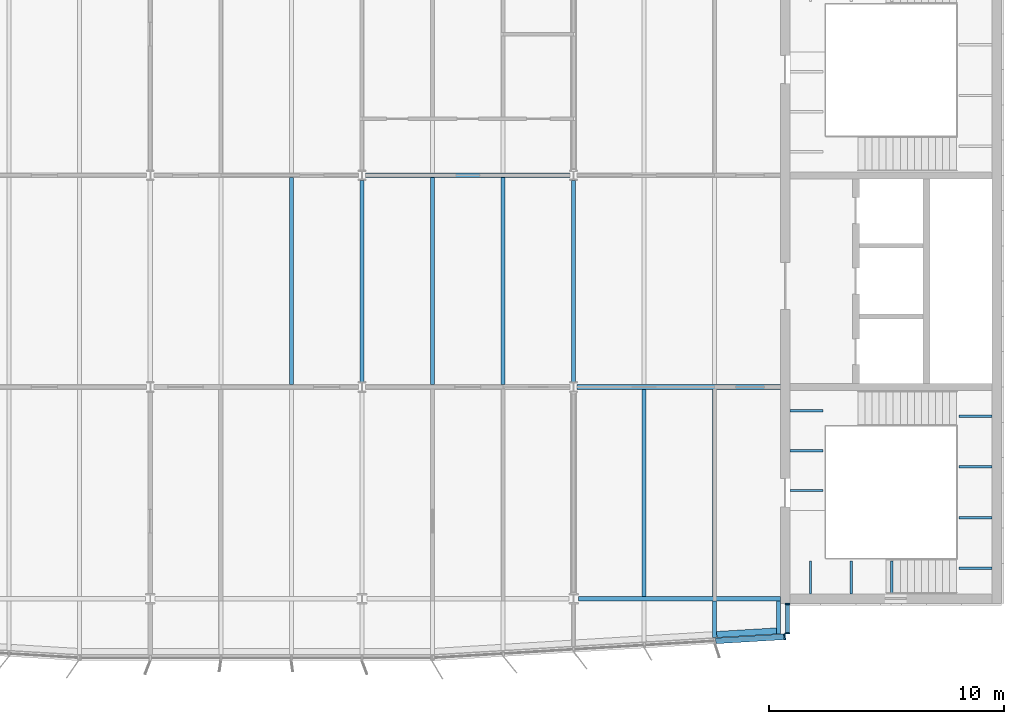
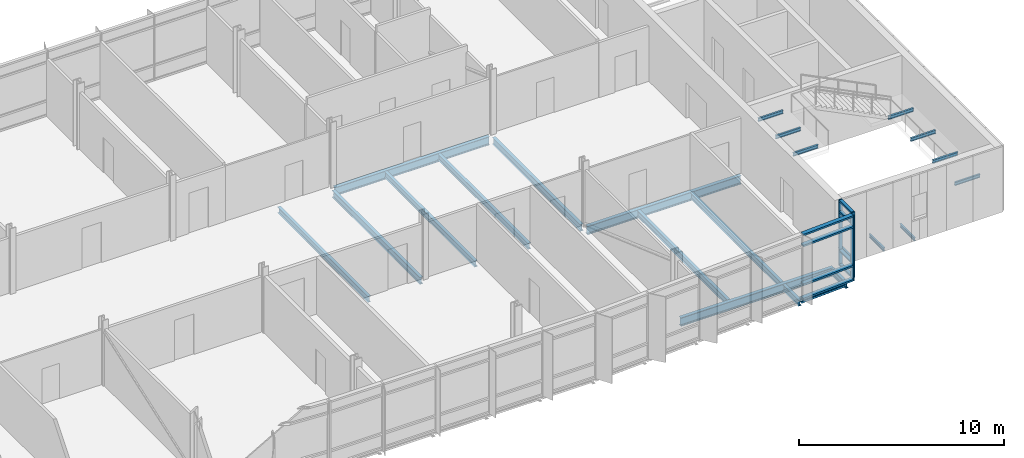
# One storey, part 6 of 18: 23 beams, 11 members, 2 elements without a shape of their own.
"""IFC4 building model written with IfcOpenShell, lengths in metres."""

from ifc_helpers import new_model, si_unit, direction, frame, origin, origin_2d, place, context, subcontext, project, spatial, rectangle, i_section, extrude, material, material_profile, profile_set, type_object, element, aggregate, save


model = new_model("IFC4")

# Units and contexts
model_context = context("Model", 3, precision=1e-05, world=origin(), true_north=direction((0.0, 1.0)))
body_context = subcontext(model_context, "Body", "Model", "MODEL_VIEW")
ifc_project = project(units=[si_unit("LENGTHUNIT", "METRE"), si_unit("AREAUNIT", "SQUARE_METRE"), si_unit("VOLUMEUNIT", "CUBIC_METRE"), si_unit("PLANEANGLEUNIT", "RADIAN"), si_unit("MASSUNIT", "GRAM", prefix="KILO")], contexts=[model_context])

# Site, building, storey
site_placement = place(None, origin())
site = spatial("IfcSite", under=ifc_project, at=site_placement, CompositionType="ELEMENT")
building_placement = place(site_placement, origin())
building = spatial("IfcBuilding", under=site, at=building_placement, Name="Azimuth Sports and Learning Centre", CompositionType="ELEMENT")
storey_placement = place(building_placement, frame((0.0, 0.0, 63.60009765625)))
storey = spatial("IfcBuildingStorey", under=building, at=storey_placement, Name="L14", CompositionType="ELEMENT", Elevation=63.60009765625)

# Beams
ifc_material_1 = material(Name="Steel S355", Category="steel")
ifc_material_profile_1 = material_profile(ifc_material_1, i_section(OverallWidth=0.10009765625, OverallDepth=0.199951171875, WebThickness=0.005615234375, FlangeThickness=0.008544921875, FilletRadius=0.011962890625, at=origin_2d()), Name="IPE 200")
ifc_profile_set_1 = profile_set([ifc_material_profile_1], Name="Steel S355")
beam_type_1 = type_object("IfcBeamType", Name="Beam IPE 200", PredefinedType="BEAM", material=ifc_profile_set_1)
for number, where, z_axis, x_axis, name in (
    (1, (109.0732421875, 90.199951171875, -0.300048828125), (0.0, 1.0, 0.0), (-1.0, 0.0, 0.0), "Landing bracket E1 L14 495"),
    (2, (110.800048828125, 90.199951171875, -0.300048828125), (0.0, 1.0, 0.0), (-1.0, 0.0, 0.0), "Landing bracket E1 L14 496"),
    (3, (112.526611328125, 90.199951171875, -0.300048828125), (0.0, 1.0, 0.0), (-1.0, 0.0, 0.0), "Landing bracket E1 L14 497"),
    (4, (116.800048828125, 91.288818359375, 1.349853515625), (-1.0, 0.0, 0.0), (0.0, -1.0, 0.0), "Landing bracket E1 L14 498"),
    (5, (116.800048828125, 93.4462890625, 1.349853515625), (-1.0, 0.0, 0.0), (0.0, -1.0, 0.0), "Landing bracket E1 L14 499"),
    (6, (116.800048828125, 95.603759765625, 1.349853515625), (-1.0, 0.0, 0.0), (0.0, -1.0, 0.0), "Landing bracket E1 L14 500"),
    (7, (116.800048828125, 97.76123046875, 1.349853515625), (-1.0, 0.0, 0.0), (0.0, -1.0, 0.0), "Landing bracket E1 L14 501"),
    (8, (108.199951171875, 94.598388671875, 3.599853515625), (1.0, 0.0, 0.0), (0.0, 1.0, 0.0), "Landing bracket E1 L14 502"),
    (9, (108.199951171875, 96.294921875, 3.599853515625), (1.0, 0.0, 0.0), (0.0, 1.0, 0.0), "Landing bracket E1 L14 503"),
    (10, (108.199951171875, 97.99169921875, 3.599853515625), (1.0, 0.0, 0.0), (0.0, 1.0, 0.0), "Landing bracket E1 L14 504"),
):
    element("IfcBeam", number, at=place(storey_placement, frame(where, z_axis=z_axis, x_axis=x_axis)), inside=storey, type_object=beam_type_1, Name=name, PredefinedType="BEAM", context=body_context, shape_type="SweptSolid", body=[
        extrude(i_section(OverallWidth=0.10009765625, OverallDepth=0.199951171875, WebThickness=0.005615234375, FlangeThickness=0.008544921875, FilletRadius=0.011962890625, at=origin_2d()), origin(), (0.0, 0.0, 1.0), 1.41015625),
    ])
ifc_material_2 = material(Name="Steel S355", Category="steel")
ifc_material_profile_2 = material_profile(ifc_material_2, i_section(OverallWidth=0.179931640625, OverallDepth=0.39990234375, WebThickness=0.008544921875, FlangeThickness=0.013427734375, FilletRadius=0.02099609375, at=origin_2d()), Name="IPE 400")
ifc_profile_set_2 = profile_set([ifc_material_profile_2], Name="Steel S355")
beam_type_2 = type_object("IfcBeamType", Name="Beam IPE 400", PredefinedType="BEAM", material=ifc_profile_set_2)
for number, where, z_axis, x_axis, name in (
    (11, (90.0, 99.216064453125, -0.330078125), (0.0, 1.0, 0.0), (-1.0, 0.0, 0.0), "Tower tie"),
    (12, (99.0, 99.216064453125, -0.330078125), (0.0, 1.0, 0.0), (-1.0, 0.0, 0.0), "Tower tie"),
):
    element("IfcBeam", number, at=place(storey_placement, frame(where, z_axis=z_axis, x_axis=x_axis)), inside=storey, type_object=beam_type_2, Name=name, PredefinedType="BEAM", context=body_context, shape_type="SweptSolid", body=[
        extrude(i_section(OverallWidth=0.179931640625, OverallDepth=0.39990234375, WebThickness=0.008544921875, FlangeThickness=0.013427734375, FilletRadius=0.02099609375, at=origin_2d()), origin(), (0.0, 0.0, 1.0), 8.56787109375),
    ])
ifc_material_3 = material(Name="Steel S355", Category="steel")
ifc_material_profile_3 = material_profile(ifc_material_3, i_section(OverallWidth=0.199951171875, OverallDepth=0.5, WebThickness=0.01025390625, FlangeThickness=0.01611328125, FilletRadius=0.02099609375, at=origin_2d()), Name="IPE 500")
ifc_profile_set_3 = profile_set([ifc_material_profile_3], Name="Steel S355")
beam_type_3 = type_object("IfcBeamType", Name="Beam IPE 500", PredefinedType="BEAM", material=ifc_profile_set_3)
beam_1_placement = place(storey_placement, frame((99.2060546875, 90.0, -0.380126953125), z_axis=(1.0, 0.0, 0.0), x_axis=(0.0, 1.0, 0.0)))
element("IfcBeam", 13, at=beam_1_placement, inside=storey, type_object=beam_type_3, Name="Tower girder L14", PredefinedType="BEAM", context=body_context, shape_type="SweptSolid", body=[
    extrude(i_section(OverallWidth=0.199951171875, OverallDepth=0.5, WebThickness=0.01025390625, FlangeThickness=0.01611328125, FilletRadius=0.02099609375, at=origin_2d()), origin(), (0.0, 0.0, 1.0), 8.593994140625),
])
beam_2_placement = place(storey_placement, frame((99.153564453125, 99.0, -0.380126953125), z_axis=(1.0, 0.0, 0.0), x_axis=(0.0, 1.0, 0.0)))
element("IfcBeam", 14, at=beam_2_placement, inside=storey, type_object=beam_type_3, Name="Tower girder L14", PredefinedType="BEAM", context=body_context, shape_type="SweptSolid", body=[
    extrude(i_section(OverallWidth=0.199951171875, OverallDepth=0.5, WebThickness=0.01025390625, FlangeThickness=0.01611328125, FilletRadius=0.02099609375, at=origin_2d()), origin(), (0.0, 0.0, 1.0), 8.646484375),
])
beam_3_placement = place(storey_placement, frame((90.153564453125, 108.0, -0.380126953125), z_axis=(1.0, 0.0, 0.0), x_axis=(0.0, 1.0, 0.0)))
element("IfcBeam", 15, at=beam_3_placement, inside=storey, type_object=beam_type_3, Name="Tower girder L14", PredefinedType="BEAM", context=body_context, shape_type="SweptSolid", body=[
    extrude(i_section(OverallWidth=0.199951171875, OverallDepth=0.5, WebThickness=0.01025390625, FlangeThickness=0.01611328125, FilletRadius=0.02099609375, at=origin_2d()), origin(), (0.0, 0.0, 1.0), 8.69287109375),
])
ifc_material_4 = material(Name="Steel S355", Category="steel")
ifc_material_profile_4 = material_profile(ifc_material_4, i_section(OverallWidth=0.169921875, OverallDepth=0.360107421875, WebThickness=0.008056640625, FlangeThickness=0.0126953125, FilletRadius=0.01806640625, at=origin_2d()), Name="IPE 360")
ifc_profile_set_4 = profile_set([ifc_material_profile_4], Name="Steel S355")
beam_type_4 = type_object("IfcBeamType", Name="Cantilever stub IPE 360", PredefinedType="JOIST", material=ifc_profile_set_4)
beam_4_placement = place(storey_placement, frame((105.0, 89.89990234375, -0.31005859375), z_axis=(0.0, -1.0, 0.0), x_axis=(1.0, 0.0, 0.0)))
element("IfcBeam", 16, at=beam_4_placement, inside=storey, type_object=beam_type_4, Name="Tower cantilever stub", PredefinedType="JOIST", context=body_context, shape_type="SweptSolid", body=[
    extrude(i_section(OverallWidth=0.169921875, OverallDepth=0.360107421875, WebThickness=0.008056640625, FlangeThickness=0.0126953125, FilletRadius=0.01806640625, at=origin_2d()), origin(), (0.0, 0.0, 1.0), 1.559814453125),
])
beam_5_placement = place(storey_placement, frame((107.715087890625, 89.89990234375, -0.31005859375), z_axis=(0.0, -1.0, 0.0), x_axis=(1.0, 0.0, 0.0)))
element("IfcBeam", 17, at=beam_5_placement, inside=storey, type_object=beam_type_4, Name="Tower cantilever stub", PredefinedType="JOIST", context=body_context, shape_type="SweptSolid", body=[
    extrude(i_section(OverallWidth=0.169921875, OverallDepth=0.360107421875, WebThickness=0.008056640625, FlangeThickness=0.0126953125, FilletRadius=0.01806640625, at=origin_2d()), origin(), (0.0, 0.0, 1.0), 1.39697265625),
])
ifc_material_5 = material(Name="Steel S355", Category="steel")
ifc_material_profile_5 = material_profile(ifc_material_5, i_section(OverallWidth=0.260009765625, OverallDepth=0.25, WebThickness=0.007568359375, FlangeThickness=0.012451171875, FilletRadius=0.02392578125, at=origin_2d()), Name="HEA 260")
ifc_profile_set_5 = profile_set([ifc_material_profile_5], Name="Steel S355")
beam_type_5 = type_object("IfcBeamType", Name="Edge beam HEA 260", PredefinedType="SPANDREL", material=ifc_profile_set_5)
beam_6_placement = place(storey_placement, frame((105.0849609375, 88.47509765625, -0.255126953125), z_axis=(0.998207363591, 0.059850307199, 0.0), x_axis=(-0.059850307199, 0.998207363591, 0.0)))
element("IfcBeam", 18, at=beam_6_placement, inside=storey, type_object=beam_type_5, Name="Tower edge beam", PredefinedType="SPANDREL", context=body_context, shape_type="SweptSolid", body=[
    extrude(i_section(OverallWidth=0.260009765625, OverallDepth=0.25, WebThickness=0.007568359375, FlangeThickness=0.012451171875, FilletRadius=0.02392578125, at=origin_2d()), origin(), (0.0, 0.0, 1.0), 2.549560546875),
])
ifc_material_6 = material(Name="Steel S355", Category="steel")
ifc_material_profile_6 = material_profile(ifc_material_6, i_section(OverallWidth=0.169921875, OverallDepth=0.360107421875, WebThickness=0.008056640625, FlangeThickness=0.0126953125, FilletRadius=0.01806640625, at=origin_2d()), Name="IPE 360")
ifc_profile_set_6 = profile_set([ifc_material_profile_6], Name="Steel S355")
beam_type_6 = type_object("IfcBeamType", Name="Joist IPE 360", PredefinedType="JOIST", material=ifc_profile_set_6)
for number, where, z_axis, x_axis, name in (
    (19, (87.0, 99.10009765625, -0.31005859375), (0.0, 1.0, 0.0), (-1.0, 0.0, 0.0), "Tower joist"),
    (20, (93.0, 99.10009765625, -0.31005859375), (0.0, 1.0, 0.0), (-1.0, 0.0, 0.0), "Tower joist"),
    (21, (96.0, 99.10009765625, -0.31005859375), (0.0, 1.0, 0.0), (-1.0, 0.0, 0.0), "Tower joist"),
    (22, (102.0, 90.10009765625, -0.31005859375), (0.0, 1.0, 0.0), (-1.0, 0.0, 0.0), "Tower joist"),
    (23, (105.0, 90.10009765625, -0.31005859375), (0.0, 1.0, 0.0), (-1.0, 0.0, 0.0), "Tower joist"),
):
    element("IfcBeam", number, at=place(storey_placement, frame(where, z_axis=z_axis, x_axis=x_axis)), inside=storey, type_object=beam_type_6, Name=name, PredefinedType="JOIST", context=body_context, shape_type="SweptSolid", body=[
        extrude(i_section(OverallWidth=0.169921875, OverallDepth=0.360107421875, WebThickness=0.008056640625, FlangeThickness=0.0126953125, FilletRadius=0.01806640625, at=origin_2d()), origin(), (0.0, 0.0, 1.0), 8.7998046875),
    ])

# Curtain wall, members
ifc_material_7 = material(Name="Aluminium and glass", Category="aluminium")
curtain_wall_type_1 = type_object("IfcCurtainWallType", Name="Curtain wall tower return 180", PredefinedType="NOTDEFINED", material=ifc_material_7)
curtain_wall_1_placement = place(storey_placement, origin())
curtain_wall_1 = element("IfcCurtainWall", 24, at=curtain_wall_1_placement, inside=storey, type_object=curtain_wall_type_1, Name="Curtain wall CW14-005", PredefinedType="NOTDEFINED")
ifc_material_8 = material(Name="Aluminium", Category="aluminium")
ifc_material_profile_7 = material_profile(ifc_material_8, rectangle(XDim=0.179931640625, YDim=0.06005859375, at=origin_2d()), Name="Mullion 60x180")
ifc_profile_set_7 = profile_set([ifc_material_profile_7], Name="Aluminium")
member_type_1 = type_object("IfcMemberType", Name="Mullion 60x180", PredefinedType="MULLION", material=ifc_profile_set_7)
member_1_placement = place(storey_placement, frame((108.090087890625, 88.530029296875, 0.0), z_axis=(0.0, 0.0, 1.0), x_axis=(-1.0, 0.0, 0.0)))
member_1 = element("IfcMember", 25, at=member_1_placement, type_object=member_type_1, Name="CW14-005 mullion 1", PredefinedType="MULLION", context=body_context, shape_type="SweptSolid", body=[
    extrude(rectangle(XDim=0.179931640625, YDim=0.06005859375, at=origin_2d()), origin(), (0.0, 0.0, 1.0), 3.89990234375),
])
member_2_placement = place(storey_placement, frame((108.090087890625, 89.77001953125, 0.0), z_axis=(0.0, 0.0, 1.0), x_axis=(-1.0, 0.0, 0.0)))
member_2 = element("IfcMember", 26, at=member_2_placement, type_object=member_type_1, Name="CW14-005 mullion 2", PredefinedType="MULLION", context=body_context, shape_type="SweptSolid", body=[
    extrude(rectangle(XDim=0.179931640625, YDim=0.06005859375, at=origin_2d()), origin(), (0.0, 0.0, 1.0), 3.89990234375),
])

# Curtain wall, member
ifc_material_9 = material(Name="Aluminium and glass", Category="aluminium")
curtain_wall_type_2 = type_object("IfcCurtainWallType", Name="Curtain wall tower south 240", PredefinedType="NOTDEFINED", material=ifc_material_9)
curtain_wall_2_placement = place(storey_placement, origin())
curtain_wall_2 = element("IfcCurtainWall", 27, at=curtain_wall_2_placement, inside=storey, type_object=curtain_wall_type_2, Name="Curtain wall CW14-004", PredefinedType="NOTDEFINED")
ifc_material_10 = material(Name="Aluminium", Category="aluminium")
ifc_material_profile_8 = material_profile(ifc_material_10, rectangle(XDim=0.239990234375, YDim=0.070068359375, at=origin_2d()), Name="Mullion 70x240")
ifc_profile_set_8 = profile_set([ifc_material_profile_8], Name="Aluminium")
member_type_2 = type_object("IfcMemberType", Name="Mullion 70x240", PredefinedType="MULLION", material=ifc_profile_set_8)
member_3_placement = place(storey_placement, frame((107.97216796875, 88.378173828125, 0.0), z_axis=(0.0, 0.0, 1.0), x_axis=(-0.059891991812, 0.998204863401, 0.0)))
member_3 = element("IfcMember", 28, at=member_3_placement, type_object=member_type_2, Name="CW14-004 mullion 6", PredefinedType="MULLION", context=body_context, shape_type="SweptSolid", body=[
    extrude(rectangle(XDim=0.239990234375, YDim=0.070068359375, at=origin_2d()), origin(), (0.0, 0.0, 1.0), 3.89990234375),
])

# Member
ifc_material_11 = material(Name="Aluminium", Category="aluminium")
ifc_material_profile_9 = material_profile(ifc_material_11, rectangle(XDim=0.179931640625, YDim=0.10009765625, at=origin_2d()), Name="Transom 100x180")
ifc_profile_set_9 = profile_set([ifc_material_profile_9], Name="Aluminium")
member_type_3 = type_object("IfcMemberType", Name="Transom 100x180", PredefinedType="USERDEFINED", material=ifc_profile_set_9)
member_4_placement = place(storey_placement, frame((108.090087890625, 88.56005859375, 0.0498046875), z_axis=(0.0, 1.0, 0.0), x_axis=(-1.0, 0.0, 0.0)))
member_4 = element("IfcMember", 29, at=member_4_placement, type_object=member_type_3, Name="CW14-005 transom 1.1", ObjectType="TRANSOM", PredefinedType="USERDEFINED", context=body_context, shape_type="SweptSolid", body=[
    extrude(rectangle(XDim=0.179931640625, YDim=0.10009765625, at=origin_2d()), origin(), (0.0, 0.0, 1.0), 1.179931640625),
])

member_5_placement = place(storey_placement, frame((108.090087890625, 88.56005859375, 0.89990234375), z_axis=(0.0, 1.0, 0.0), x_axis=(-1.0, 0.0, 0.0)))
member_5 = element("IfcMember", 30, at=member_5_placement, type_object=member_type_3, Name="CW14-005 transom 1.2", ObjectType="TRANSOM", PredefinedType="USERDEFINED", context=body_context, shape_type="SweptSolid", body=[
    extrude(rectangle(XDim=0.179931640625, YDim=0.10009765625, at=origin_2d()), origin(), (0.0, 0.0, 1.0), 1.179931640625),
])

member_6_placement = place(storey_placement, frame((108.090087890625, 88.56005859375, 3.199951171875), z_axis=(0.0, 1.0, 0.0), x_axis=(-1.0, 0.0, 0.0)))
member_6 = element("IfcMember", 31, at=member_6_placement, type_object=member_type_3, Name="CW14-005 transom 1.3", ObjectType="TRANSOM", PredefinedType="USERDEFINED", context=body_context, shape_type="SweptSolid", body=[
    extrude(rectangle(XDim=0.179931640625, YDim=0.10009765625, at=origin_2d()), origin(), (0.0, 0.0, 1.0), 1.179931640625),
])

member_7_placement = place(storey_placement, frame((108.090087890625, 88.56005859375, 3.849853515625), z_axis=(0.0, 1.0, 0.0), x_axis=(-1.0, 0.0, 0.0)))
member_7 = element("IfcMember", 32, at=member_7_placement, type_object=member_type_3, Name="CW14-005 transom 1.4", ObjectType="TRANSOM", PredefinedType="USERDEFINED", context=body_context, shape_type="SweptSolid", body=[
    extrude(rectangle(XDim=0.179931640625, YDim=0.10009765625, at=origin_2d()), origin(), (0.0, 0.0, 1.0), 1.179931640625),
])

aggregate(curtain_wall_1, [member_1, member_2, member_4, member_5, member_6, member_7])

ifc_material_12 = material(Name="Aluminium", Category="aluminium")
ifc_material_profile_10 = material_profile(ifc_material_12, rectangle(XDim=0.239990234375, YDim=0.10009765625, at=origin_2d()), Name="Transom 100x240")
ifc_profile_set_10 = profile_set([ifc_material_profile_10], Name="Aluminium")
member_type_4 = type_object("IfcMemberType", Name="Transom 100x240", PredefinedType="USERDEFINED", material=ifc_profile_set_10)
member_8_placement = place(storey_placement, frame((105.042236328125, 88.202392578125, 0.0498046875), z_axis=(0.998207260343, 0.059852029187, 0.0), x_axis=(-0.059852029187, 0.998207260343, 0.0)))
member_8 = element("IfcMember", 33, at=member_8_placement, type_object=member_type_4, Name="CW14-004 transom 5.1", ObjectType="TRANSOM", PredefinedType="USERDEFINED", context=body_context, shape_type="SweptSolid", body=[
    extrude(rectangle(XDim=0.239990234375, YDim=0.10009765625, at=origin_2d()), origin(), (0.0, 0.0, 1.0), 2.900146484375),
])

member_9_placement = place(storey_placement, frame((105.042236328125, 88.202392578125, 0.89990234375), z_axis=(0.998207260343, 0.059852029187, 0.0), x_axis=(-0.059852029187, 0.998207260343, 0.0)))
member_9 = element("IfcMember", 34, at=member_9_placement, type_object=member_type_4, Name="CW14-004 transom 5.2", ObjectType="TRANSOM", PredefinedType="USERDEFINED", context=body_context, shape_type="SweptSolid", body=[
    extrude(rectangle(XDim=0.239990234375, YDim=0.10009765625, at=origin_2d()), origin(), (0.0, 0.0, 1.0), 2.900146484375),
])

member_10_placement = place(storey_placement, frame((105.042236328125, 88.202392578125, 3.199951171875), z_axis=(0.998207260343, 0.059852029187, 0.0), x_axis=(-0.059852029187, 0.998207260343, 0.0)))
member_10 = element("IfcMember", 35, at=member_10_placement, type_object=member_type_4, Name="CW14-004 transom 5.3", ObjectType="TRANSOM", PredefinedType="USERDEFINED", context=body_context, shape_type="SweptSolid", body=[
    extrude(rectangle(XDim=0.239990234375, YDim=0.10009765625, at=origin_2d()), origin(), (0.0, 0.0, 1.0), 2.900146484375),
])

member_11_placement = place(storey_placement, frame((105.042236328125, 88.202392578125, 3.849853515625), z_axis=(0.998207260343, 0.059852029187, 0.0), x_axis=(-0.059852029187, 0.998207260343, 0.0)))
member_11 = element("IfcMember", 36, at=member_11_placement, type_object=member_type_4, Name="CW14-004 transom 5.4", ObjectType="TRANSOM", PredefinedType="USERDEFINED", context=body_context, shape_type="SweptSolid", body=[
    extrude(rectangle(XDim=0.239990234375, YDim=0.10009765625, at=origin_2d()), origin(), (0.0, 0.0, 1.0), 2.900146484375),
])

aggregate(curtain_wall_2, [member_3, member_8, member_9, member_10, member_11])

save(model, "model.ifc")
